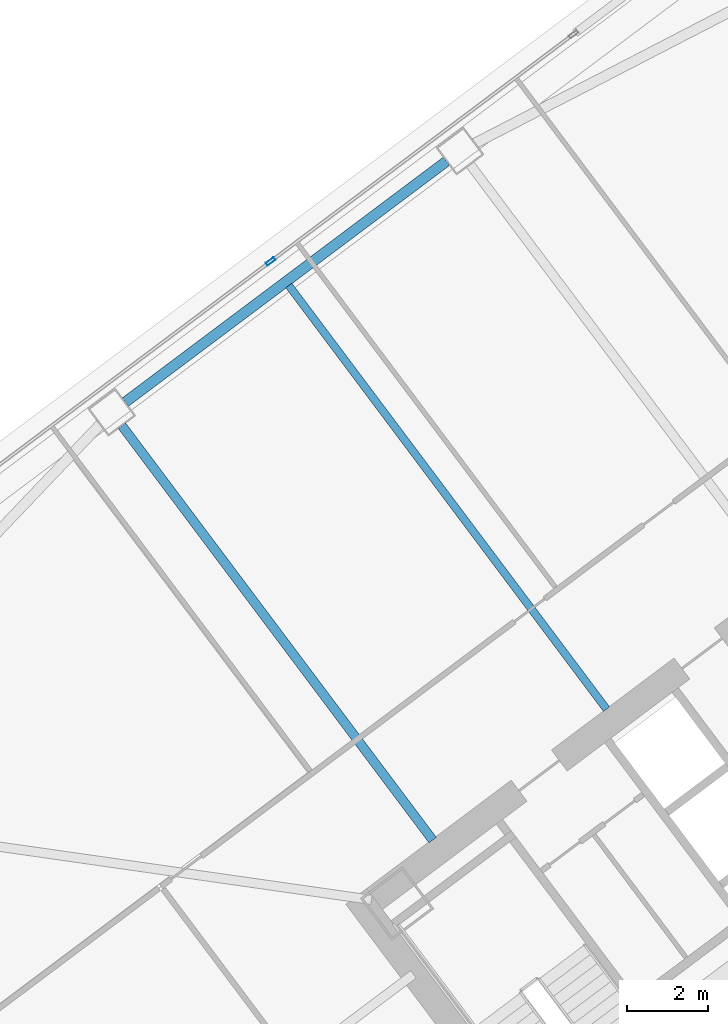
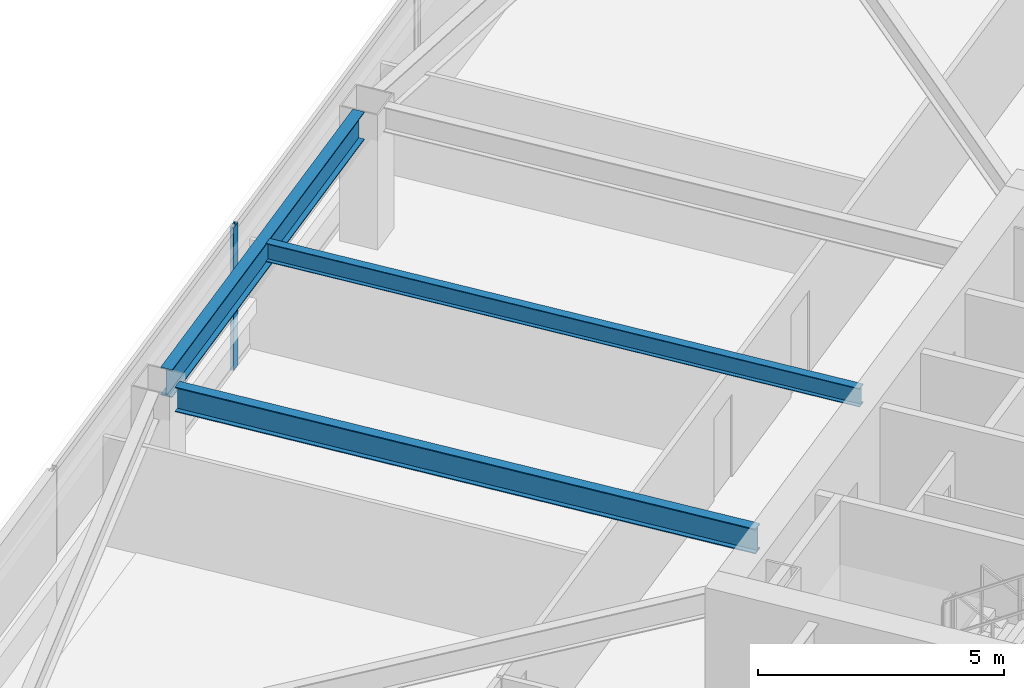
# One storey, part 30 of 48: 3 beams, 1 member, 1 element without a shape of its own.
"""IFC4 building model written with IfcOpenShell, lengths in metres."""

from ifc_helpers import new_model, si_unit, direction, frame, origin, origin_2d, place, context, subcontext, project, spatial, hollow_rectangle, i_section, extrude, material, material_profile, profile_set, type_object, element, aggregate, save


model = new_model("IFC4")

# Units and contexts
model_context = context("Model", 3, precision=1e-05, world=origin(), true_north=direction((0.0, 1.0)))
body_context = subcontext(model_context, "Body", "Model", "MODEL_VIEW")
ifc_project = project(units=[si_unit("LENGTHUNIT", "METRE"), si_unit("AREAUNIT", "SQUARE_METRE"), si_unit("VOLUMEUNIT", "CUBIC_METRE"), si_unit("PLANEANGLEUNIT", "RADIAN"), si_unit("MASSUNIT", "GRAM", prefix="KILO")], contexts=[model_context])

# Site, building, storey
site_placement = place(None, origin())
site = spatial("IfcSite", under=ifc_project, at=site_placement, CompositionType="ELEMENT")
building_placement = place(site_placement, origin())
building = spatial("IfcBuilding", under=site, at=building_placement, Name="Tashvorn Skyway Center", CompositionType="ELEMENT")
storey_placement = place(building_placement, frame((0.0, 0.0, 53.0)))
storey = spatial("IfcBuildingStorey", under=building, at=storey_placement, Name="L13", CompositionType="ELEMENT", Elevation=53.0)

# Beams
ifc_material_1 = material(Name="Steel ASTM A992 Grade 50", Category="steel")
ifc_material_profile_1 = material_profile(ifc_material_1, i_section(OverallWidth=0.22998046875, OverallDepth=0.616943359375, WebThickness=0.01318359375, FlangeThickness=0.022216796875, at=origin_2d()), Name="W24X94")
ifc_profile_set_1 = profile_set([ifc_material_profile_1], Name="Steel ASTM A992 Grade 50")
beam_type_1 = type_object("IfcBeamType", Name="BM-BEAM-W24X94", PredefinedType="BEAM", material=ifc_profile_set_1)
beam_1_placement = place(storey_placement, frame((97.302001953125, 45.263916015625, 3.04150390625), z_axis=(0.599996960112, -0.800002279907, 0.0), x_axis=(0.800002279907, 0.599996960112, 0.0)))
element("IfcBeam", 1, at=beam_1_placement, inside=storey, type_object=beam_type_1, Name="Tower 2 L13 Primary Floor Girder FC-N2", PredefinedType="BEAM", context=body_context, shape_type="SweptSolid", body=[
    extrude(i_section(OverallWidth=0.22998046875, OverallDepth=0.616943359375, WebThickness=0.01318359375, FlangeThickness=0.022216796875, at=origin_2d()), origin(), (0.0, 0.0, 1.0), 12.85009765625),
])
ifc_material_profile_2 = material_profile(ifc_material_1, i_section(OverallWidth=0.19091796875, OverallDepth=0.4599609375, WebThickness=0.010009765625, FlangeThickness=0.01611328125, at=origin_2d()), Name="W18X55")
ifc_profile_set_2 = profile_set([ifc_material_profile_2], Name="Steel ASTM A992 Grade 50")
beam_type_2 = type_object("IfcBeamType", Name="BM-JOIST-W18X55", PredefinedType="JOIST", material=ifc_profile_set_2)
beam_2_placement = place(storey_placement, frame((109.325927734375, 38.23193359375, 3.1201171875), z_axis=(-0.600002972791, 0.799997770398, 0.0), x_axis=(-0.799997770398, -0.600002972791, 0.0)))
element("IfcBeam", 2, at=beam_2_placement, inside=storey, type_object=beam_type_2, Name="Tower 2 L13 Secondary Composite Joist JN", PredefinedType="JOIST", context=body_context, shape_type="SweptSolid", body=[
    extrude(i_section(OverallWidth=0.19091796875, OverallDepth=0.4599609375, WebThickness=0.010009765625, FlangeThickness=0.01611328125, at=origin_2d()), origin(), (0.0, 0.0, 1.0), 13.139892578125),
])
ifc_material_profile_3 = material_profile(ifc_material_1, i_section(OverallWidth=0.256103515625, OverallDepth=0.693115234375, WebThickness=0.014404296875, FlangeThickness=0.023681640625, at=origin_2d()), Name="W27X114")
ifc_profile_set_3 = profile_set([ifc_material_profile_3], Name="Steel ASTM A992 Grade 50")
beam_type_3 = type_object("IfcBeamType", Name="BM-SPANDREL-W27X114", PredefinedType="SPANDREL", material=ifc_profile_set_3)
beam_3_placement = place(storey_placement, frame((105.35400390625, 51.827880859375, 3.00341796875), z_axis=(-0.800008824351, -0.599988234018, 0.0), x_axis=(0.599988234018, -0.800008824351, 0.0)))
element("IfcBeam", 3, at=beam_3_placement, inside=storey, type_object=beam_type_3, Name="Tower 2 L13 Spandrel Beam 08", PredefinedType="SPANDREL", context=body_context, shape_type="SweptSolid", body=[
    extrude(i_section(OverallWidth=0.256103515625, OverallDepth=0.693115234375, WebThickness=0.014404296875, FlangeThickness=0.023681640625, at=origin_2d()), origin(), (0.0, 0.0, 1.0), 9.9599609375),
])

# Curtain wall, member
ifc_material_2 = material(Name="Thermally broken bronze-anodized aluminium 6063-T6", Category="aluminium")
curtain_wall_type = type_object("IfcCurtainWallType", Name="CW-CW-Z1", PredefinedType="NOTDEFINED", material=ifc_material_2)
curtain_wall_placement = place(storey_placement, origin())
curtain_wall = element("IfcCurtainWall", 4, at=curtain_wall_placement, inside=storey, type_object=curtain_wall_type, Name="Tower 2 L13 North Unitised Curtain Wall Glazing Group 2", PredefinedType="NOTDEFINED")
ifc_material_profile_4 = material_profile(ifc_material_2, hollow_rectangle(XDim=0.0849609375, YDim=0.239990234375, WallThickness=0.0048828125, at=origin_2d()), Name="ALU-MULL-85x240")
ifc_profile_set_4 = profile_set([ifc_material_profile_4], Name="Thermally broken bronze-anodized aluminium 6063-T6")
member_type = type_object("IfcMemberType", Name="CWM-CW-Z1", PredefinedType="MULLION", material=ifc_profile_set_4)
member_placement = place(storey_placement, frame((100.991943359375, 49.343994140625, 0.0), z_axis=(0.0, 0.0, 1.0), x_axis=(-0.600000000002, 0.799999999998, 0.0)))
member = element("IfcMember", 5, at=member_placement, type_object=member_type, Name="CW-Z1 mullion 2", PredefinedType="MULLION", context=body_context, shape_type="SweptSolid", body=[
    extrude(hollow_rectangle(XDim=0.0849609375, YDim=0.239990234375, WallThickness=0.0048828125, at=origin_2d()), origin(), (0.0, 0.0, 1.0), 3.550048828125),
])
aggregate(curtain_wall, [member])

save(model, "model.ifc")
